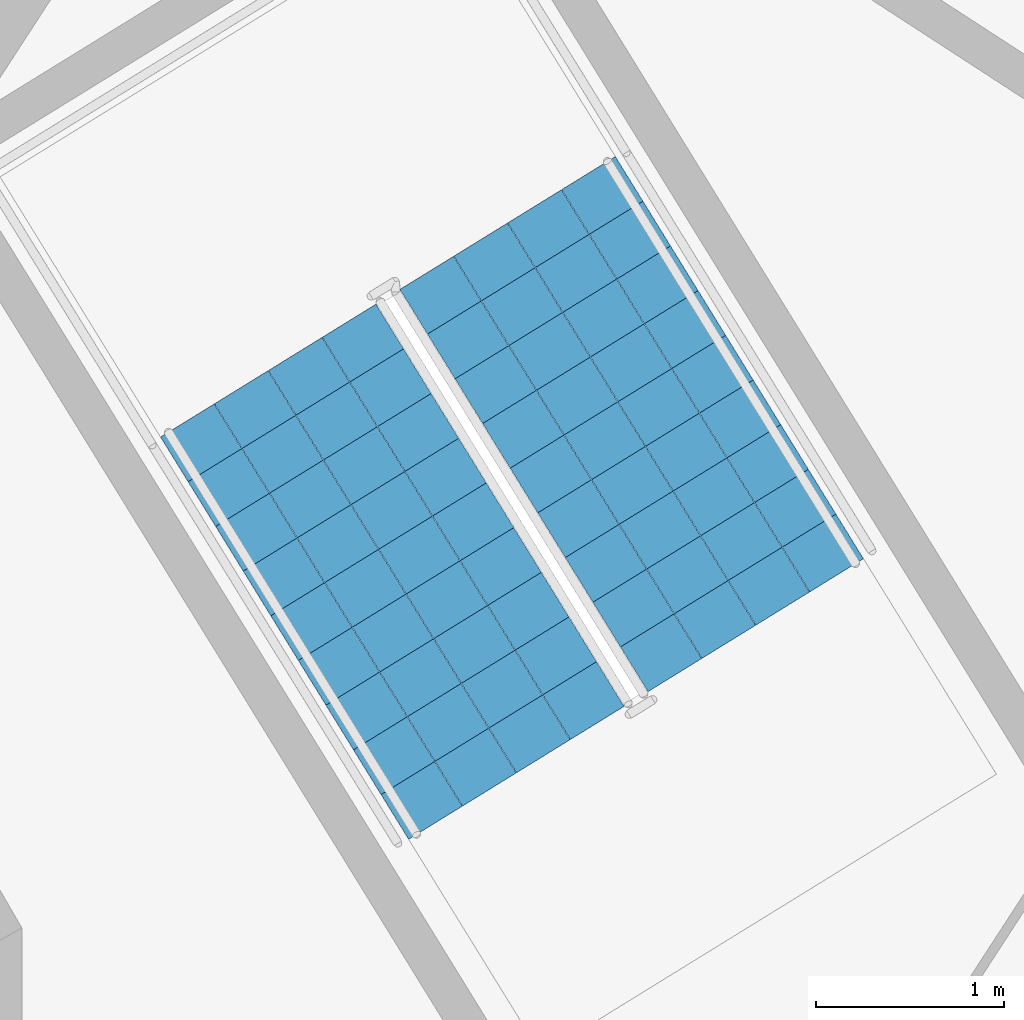
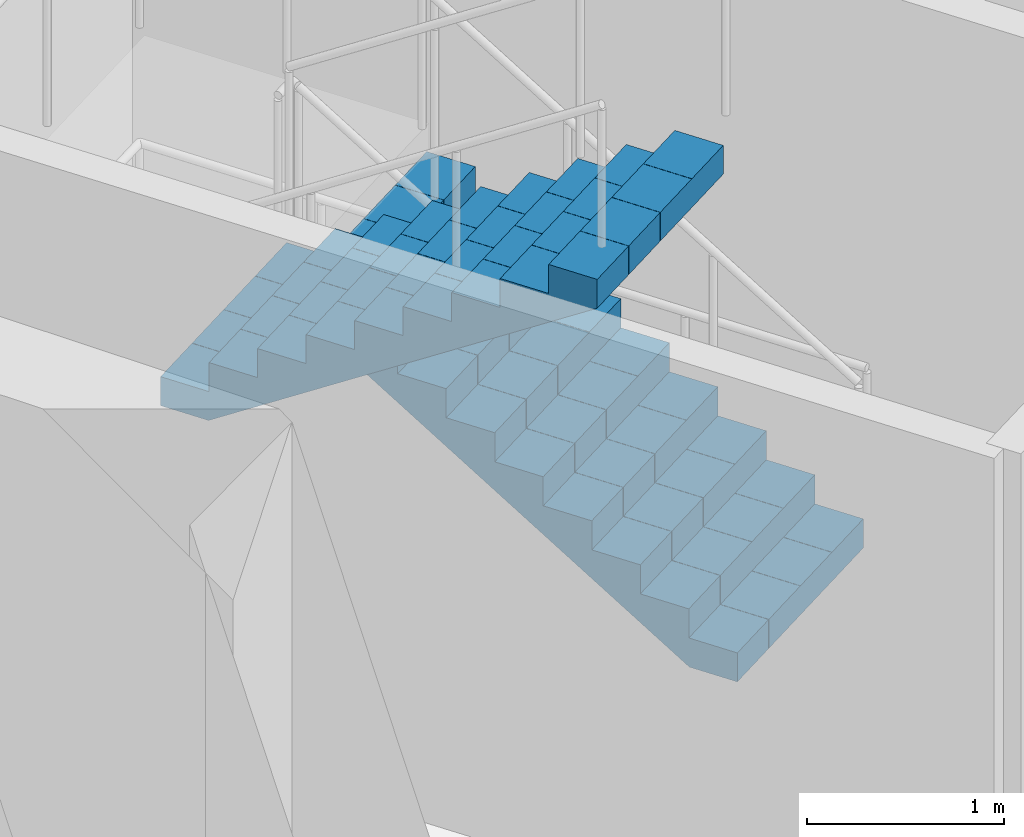
# One storey, part 9 of 15: 2 stair flights, 1 element without a shape of its own.
"""IFC4 building model written with IfcOpenShell, lengths in metres."""

import ifcopenshell
import ifcopenshell.guid

model = None  # the IFC model being written
_history = None  # IfcOwnerHistory: only IFC2X3 demands one
_inside = {}  # id of a spatial element -> (the spatial element, [elements in it])
_under = {}  # id of a project, library or spatial element -> (it, [spatial elements below it])
_declared = {}  # id of a project -> (the project, [libraries it declares])
_typed = {}  # id of a type object -> (the type object, [elements of that type])
_made_of = {}  # id of a material, layer set ... -> (it, [elements and type objects made of it])


def new_model(schema):
    """Start an empty IFC model of exactly this schema.

    Asked for "IFC4X3", IfcOpenShell would pick the latest addendum, in which some entities
    have other attributes; the version numbers below select the first issue.
    IFC2X3 requires an IfcOwnerHistory on every rooted entity: one is made here for all.
    """
    global model, _history
    if schema == "IFC4X3":
        model = ifcopenshell.file(schema_version=(4, 3, 0, 0))
    else:
        model = ifcopenshell.file(schema=schema)
    _inside.clear()
    _under.clear()
    _declared.clear()
    _typed.clear()
    _made_of.clear()
    _history = None
    if model.schema == "IFC2X3":
        org = make("IfcOrganization", Name="unknown")
        user = make(
            "IfcPersonAndOrganization",
            ThePerson=make("IfcPerson", FamilyName="unknown"),
            TheOrganization=org,
        )
        app = make(
            "IfcApplication",
            ApplicationDeveloper=org,
            Version="unknown",
            ApplicationFullName="unknown",
            ApplicationIdentifier="unknown",
        )
        _history = make(
            "IfcOwnerHistory",
            OwningUser=user,
            OwningApplication=app,
            ChangeAction="ADDED",
            CreationDate=0,
        )
    return model


def make(cls, **values):
    """One entity of the class cls with the attributes given. An attribute that is None is left unset."""
    return model.create_entity(
        cls, **{name: value for name, value in values.items() if value is not None}
    )


def rooted(cls, **values):
    """An entity with a GlobalId (a new one), such as an element, a storey or a relation."""
    return make(cls, GlobalId=ifcopenshell.guid.new(), OwnerHistory=_history, **values)


def si_unit(unit_type, name, prefix=None):
    """IfcSIUnit, for example si_unit("LENGTHUNIT", "METRE", prefix="MILLI")."""
    return make("IfcSIUnit", UnitType=unit_type, Prefix=prefix, Name=name)


def assignment(units):
    """IfcUnitAssignment: the units of a project."""
    return None if units is None else make("IfcUnitAssignment", Units=units)


def point(xyz):
    """IfcCartesianPoint."""
    return None if xyz is None else make("IfcCartesianPoint", Coordinates=xyz)


def direction(xyz):
    """IfcDirection."""
    return None if xyz is None else make("IfcDirection", DirectionRatios=xyz)


def frame(location, z_axis=None, x_axis=None):
    """IfcAxis2Placement3D, a coordinate frame: its origin and axes. An axis left out is left unset."""
    return make(
        "IfcAxis2Placement3D",
        Location=point(location),
        Axis=direction(z_axis),
        RefDirection=direction(x_axis),
    )


def origin():
    """The frame at (0, 0, 0) with its axes left unset."""
    return frame((0.0, 0.0, 0.0))


def place(relative_to, where):
    """IfcLocalPlacement: puts the frame where relative to a parent placement (None: the world)."""
    return make(
        "IfcLocalPlacement", PlacementRelTo=relative_to, RelativePlacement=where
    )


def context(
    kind, dimensions, precision=None, world=None, true_north=None, identifier=None
):
    """IfcGeometricRepresentationContext, for example the 3D "Model" context."""
    return make(
        "IfcGeometricRepresentationContext",
        ContextIdentifier=identifier,
        ContextType=kind,
        CoordinateSpaceDimension=dimensions,
        Precision=precision,
        WorldCoordinateSystem=world,
        TrueNorth=true_north,
    )


def subcontext(parent, identifier, kind, view, scale=None):
    """IfcGeometricRepresentationSubContext, for example "Body" below "Model"."""
    return make(
        "IfcGeometricRepresentationSubContext",
        ContextIdentifier=identifier,
        ContextType=kind,
        ParentContext=parent,
        TargetScale=scale,
        TargetView=view,
    )


def project(units=None, contexts=None):
    """IfcProject with its units and contexts."""
    return rooted(
        "IfcProject",
        Name="project",
        RepresentationContexts=contexts,
        UnitsInContext=assignment(units),
    )


def spatial(cls, under=None, at=None, **own):
    """A site, building, storey or space (cls), placed at a placement, below another one or the project."""
    s = rooted(cls, ObjectPlacement=at, **own)
    if under is not None:
        _under.setdefault(under.id(), (under, []))[1].append(s)
    return s


def polyline(points):
    """IfcPolyline through the points."""
    return make("IfcPolyline", Points=[point(p) for p in points])


def outline(outer, holes=None, kind="AREA"):
    """IfcArbitraryClosedProfileDef: a profile drawn as a closed curve; with holes, ...WithVoids."""
    if holes is None:
        return make("IfcArbitraryClosedProfileDef", ProfileType=kind, OuterCurve=outer)
    return make(
        "IfcArbitraryProfileDefWithVoids",
        ProfileType=kind,
        OuterCurve=outer,
        InnerCurves=holes,
    )


def extrude(swept, where, along, depth):
    """IfcExtrudedAreaSolid: the profile swept, set in the frame where, extruded along a direction by depth."""
    return make(
        "IfcExtrudedAreaSolid",
        SweptArea=swept,
        Position=where,
        ExtrudedDirection=direction(along),
        Depth=depth,
    )


def shape(context_of_items, identifier, shape_type, items):
    """IfcShapeRepresentation: the items that make up one representation, for example the "Body"."""
    return make(
        "IfcShapeRepresentation",
        ContextOfItems=context_of_items,
        RepresentationIdentifier=identifier,
        RepresentationType=shape_type,
        Items=items,
    )


def material(Name=None, Category=None):
    """IfcMaterial."""
    return make("IfcMaterial", Name=Name, Category=Category)


def made_of(thing, what):
    """Note that an element or type object is made of a material, layer set ...; save() writes the relation."""
    if what is not None:
        _made_of.setdefault(what.id(), (what, []))[1].append(thing)
    return thing


def type_object(cls, material=None, **own):
    """A type object (cls), such as IfcWallType, which elements share."""
    return made_of(rooted(cls, **own), material)


def element(
    cls,
    number,
    at=None,
    inside=None,
    cuts=None,
    type_object=None,
    material=None,
    context=None,
    identifier="Body",
    shape_type=None,
    held_by="IfcProductDefinitionShape",
    body=None,
    shapes=None,
    **own,
):
    """One element of the class cls, such as IfcWall. Its Tag is "e" and its number.

    at: its placement. inside: the storey or other place that contains it. cuts: it is an
    opening in that element (IfcRelVoidsElement). A single representation is given by context,
    identifier, shape_type and body (its items); several are given by shapes. held_by: the class
    of the entity that holds the representations. save() writes the other relations.
    """
    e = rooted(cls, Tag="e%d" % number, ObjectPlacement=at, **own)
    if body is not None:
        shapes = [shape(context, identifier, shape_type, body)]
    if shapes is not None:
        e.Representation = make(held_by, Representations=shapes)
    if inside is not None:
        _inside.setdefault(inside.id(), (inside, []))[1].append(e)
    if cuts is not None:
        rooted(
            "IfcRelVoidsElement", RelatingBuildingElement=cuts, RelatedOpeningElement=e
        )
    if type_object is not None:
        _typed.setdefault(type_object.id(), (type_object, []))[1].append(e)
    return made_of(e, material)


def aggregate(whole, parts):
    """IfcRelAggregates: a whole, such as a stair, and the parts it consists of."""
    return rooted("IfcRelAggregates", RelatingObject=whole, RelatedObjects=parts)


def save(model, path):
    """Write the relations noted so far, then the file.

    IfcRelAggregates (storeys below a building ...), IfcRelContainedInSpatialStructure (elements
    in a storey), IfcRelDefinesByType, IfcRelAssociatesMaterial and IfcRelDeclares: one each for
    every whole, place, type object, material and project.
    """
    for whole, parts in _under.values():
        aggregate(whole, parts)
    for where, things in _inside.values():
        rooted(
            "IfcRelContainedInSpatialStructure",
            RelatedElements=things,
            RelatingStructure=where,
        )
    for kind, things in _typed.values():
        rooted("IfcRelDefinesByType", RelatedObjects=things, RelatingType=kind)
    for what, things in _made_of.values():
        rooted("IfcRelAssociatesMaterial", RelatedObjects=things, RelatingMaterial=what)
    for by, libraries in _declared.values():
        rooted("IfcRelDeclares", RelatingContext=by, RelatedDefinitions=libraries)
    model.write(path)


model = new_model("IFC4")

# Units and contexts
model_context = context("Model", 3, precision=1e-05, world=origin(), true_north=direction((0.0, 1.0)))
body_context = subcontext(model_context, "Body", "Model", "MODEL_VIEW")
ifc_project = project(units=[si_unit("LENGTHUNIT", "METRE"), si_unit("AREAUNIT", "SQUARE_METRE"), si_unit("VOLUMEUNIT", "CUBIC_METRE"), si_unit("PLANEANGLEUNIT", "RADIAN"), si_unit("MASSUNIT", "GRAM", prefix="KILO")], contexts=[model_context])

# Site, building, storey
site_placement = place(None, origin())
site = spatial("IfcSite", under=ifc_project, at=site_placement, CompositionType="ELEMENT")
building_placement = place(site_placement, origin())
building = spatial("IfcBuilding", under=site, at=building_placement, Name="Cantera Rosa Tower", CompositionType="ELEMENT")
storey_placement = place(building_placement, frame((0.0, 0.0, 250.5)))
storey = spatial("IfcBuildingStorey", under=building, at=storey_placement, Name="L55", CompositionType="ELEMENT", Elevation=250.5)

# Stair, stair flights
ifc_material_1 = material(Name="Concrete C35/45", Category="concrete")
stair_type = type_object("IfcStairType", Name="EXIT STAIR 1350 DOGLEG", PredefinedType="HALF_TURN_STAIR", material=ifc_material_1)
stair_placement = place(storey_placement, origin())
stair = element("IfcStair", 1, at=stair_placement, inside=storey, type_object=stair_type, Name="L55 ST-51", PredefinedType="HALF_TURN_STAIR")
ifc_material_2 = material(Name="Concrete C35/45", Category="concrete")
stair_flight_type = type_object("IfcStairFlightType", Name="STAIR FLIGHT 1350 R20x180", PredefinedType="STRAIGHT", material=ifc_material_2)
stair_flight_1_placement = place(storey_placement, frame((13.5732421875, 4.2021484375, 0.0), z_axis=(0.0, 0.0, 1.0), x_axis=(-0.524976585286, 0.851116669383, 0.0)))
stair_flight_1 = element("IfcStairFlight", 2, at=stair_flight_1_placement, type_object=stair_flight_type, Name="ST-51 flight 1", NumberOfRisers=10, NumberOfTreads=9, PredefinedType="STRAIGHT", RiserHeight=0.18, TreadLength=0.28, context=body_context, shape_type="SweptSolid", body=[
    extrude(outline(polyline([(0.0, 0.0), (0.0, 0.179931640625), (0.280029296875, 0.179931640625), (0.280029296875, 0.360107421875), (0.56005859375, 0.360107421875), (0.56005859375, 0.5400390625), (0.840087890625, 0.5400390625), (0.840087890625, 0.719970703125), (1.1201171875, 0.719970703125), (1.1201171875, 0.89990234375), (1.39990234375, 0.89990234375), (1.39990234375, 1.080078125), (1.679931640625, 1.080078125), (1.679931640625, 1.260009765625), (1.9599609375, 1.260009765625), (1.9599609375, 1.43994140625), (2.239990234375, 1.43994140625), (2.239990234375, 1.6201171875), (2.52001953125, 1.6201171875), (2.52001953125, 1.800048828125), (2.52001953125, 1.44189453125), (0.277099609375, 0.0), (0.0, 0.0)])), frame((0.0, 0.675048828125, 0.0), z_axis=(0.0, -1.0, 0.0), x_axis=(1.0, 0.0, 0.0)), (0.0, 0.0, 1.0), 0.3359375),
    extrude(outline(polyline([(0.0, 0.0), (0.0, 0.179931640625), (0.280029296875, 0.179931640625), (0.280029296875, 0.360107421875), (0.56005859375, 0.360107421875), (0.56005859375, 0.5400390625), (0.840087890625, 0.5400390625), (0.840087890625, 0.719970703125), (1.1201171875, 0.719970703125), (1.1201171875, 0.89990234375), (1.39990234375, 0.89990234375), (1.39990234375, 1.080078125), (1.679931640625, 1.080078125), (1.679931640625, 1.260009765625), (1.9599609375, 1.260009765625), (1.9599609375, 1.43994140625), (2.239990234375, 1.43994140625), (2.239990234375, 1.6201171875), (2.52001953125, 1.6201171875), (2.52001953125, 1.800048828125), (2.52001953125, 1.44189453125), (0.277099609375, 0.0), (0.0, 0.0)])), frame((0.0, 0.337158203125, 0.0), z_axis=(0.0, -1.0, 0.0), x_axis=(1.0, 0.0, 0.0)), (0.0, 0.0, 1.0), 0.3359375),
    extrude(outline(polyline([(0.0, 0.0), (0.0, 0.179931640625), (0.280029296875, 0.179931640625), (0.280029296875, 0.360107421875), (0.56005859375, 0.360107421875), (0.56005859375, 0.5400390625), (0.840087890625, 0.5400390625), (0.840087890625, 0.719970703125), (1.1201171875, 0.719970703125), (1.1201171875, 0.89990234375), (1.39990234375, 0.89990234375), (1.39990234375, 1.080078125), (1.679931640625, 1.080078125), (1.679931640625, 1.260009765625), (1.9599609375, 1.260009765625), (1.9599609375, 1.43994140625), (2.239990234375, 1.43994140625), (2.239990234375, 1.6201171875), (2.52001953125, 1.6201171875), (2.52001953125, 1.800048828125), (2.52001953125, 1.44189453125), (0.277099609375, 0.0), (0.0, 0.0)])), frame((0.0, -0.000732421875, 0.0), z_axis=(0.0, -1.0, 0.0), x_axis=(1.0, 0.0, 0.0)), (0.0, 0.0, 1.0), 0.3359375),
    extrude(outline(polyline([(0.0, 0.0), (0.0, 0.179931640625), (0.280029296875, 0.179931640625), (0.280029296875, 0.360107421875), (0.56005859375, 0.360107421875), (0.56005859375, 0.5400390625), (0.840087890625, 0.5400390625), (0.840087890625, 0.719970703125), (1.1201171875, 0.719970703125), (1.1201171875, 0.89990234375), (1.39990234375, 0.89990234375), (1.39990234375, 1.080078125), (1.679931640625, 1.080078125), (1.679931640625, 1.260009765625), (1.9599609375, 1.260009765625), (1.9599609375, 1.43994140625), (2.239990234375, 1.43994140625), (2.239990234375, 1.6201171875), (2.52001953125, 1.6201171875), (2.52001953125, 1.800048828125), (2.52001953125, 1.44189453125), (0.277099609375, 0.0), (0.0, 0.0)])), frame((0.0, -0.338623046875, 0.0), z_axis=(0.0, -1.0, 0.0), x_axis=(1.0, 0.0, 0.0)), (0.0, 0.0, 1.0), 0.3359375),
])
stair_flight_2_placement = place(storey_placement, frame((10.9736328125, 5.5595703125, 1.800048828125), z_axis=(0.0, 0.0, 1.0), x_axis=(0.524976585286, -0.851116669383, 0.0)))
stair_flight_2 = element("IfcStairFlight", 3, at=stair_flight_2_placement, type_object=stair_flight_type, Name="ST-51 flight 2", NumberOfRisers=10, NumberOfTreads=9, PredefinedType="STRAIGHT", RiserHeight=0.18, TreadLength=0.28, context=body_context, shape_type="SweptSolid", body=[
    extrude(outline(polyline([(0.0, 0.0), (0.0, 0.179931640625), (0.280029296875, 0.179931640625), (0.280029296875, 0.360107421875), (0.56005859375, 0.360107421875), (0.56005859375, 0.5400390625), (0.840087890625, 0.5400390625), (0.840087890625, 0.719970703125), (1.1201171875, 0.719970703125), (1.1201171875, 0.89990234375), (1.39990234375, 0.89990234375), (1.39990234375, 1.080078125), (1.679931640625, 1.080078125), (1.679931640625, 1.260009765625), (1.9599609375, 1.260009765625), (1.9599609375, 1.43994140625), (2.239990234375, 1.43994140625), (2.239990234375, 1.6201171875), (2.52001953125, 1.6201171875), (2.52001953125, 1.800048828125), (2.52001953125, 1.44189453125), (0.277099609375, 0.0), (0.0, 0.0)])), frame((0.0, 0.675048828125, 0.0), z_axis=(0.0, -1.0, 0.0), x_axis=(1.0, 0.0, 0.0)), (0.0, 0.0, 1.0), 0.3359375),
    extrude(outline(polyline([(0.0, 0.0), (0.0, 0.179931640625), (0.280029296875, 0.179931640625), (0.280029296875, 0.360107421875), (0.56005859375, 0.360107421875), (0.56005859375, 0.5400390625), (0.840087890625, 0.5400390625), (0.840087890625, 0.719970703125), (1.1201171875, 0.719970703125), (1.1201171875, 0.89990234375), (1.39990234375, 0.89990234375), (1.39990234375, 1.080078125), (1.679931640625, 1.080078125), (1.679931640625, 1.260009765625), (1.9599609375, 1.260009765625), (1.9599609375, 1.43994140625), (2.239990234375, 1.43994140625), (2.239990234375, 1.6201171875), (2.52001953125, 1.6201171875), (2.52001953125, 1.800048828125), (2.52001953125, 1.44189453125), (0.277099609375, 0.0), (0.0, 0.0)])), frame((0.0, 0.337158203125, 0.0), z_axis=(0.0, -1.0, 0.0), x_axis=(1.0, 0.0, 0.0)), (0.0, 0.0, 1.0), 0.3359375),
    extrude(outline(polyline([(0.0, 0.0), (0.0, 0.179931640625), (0.280029296875, 0.179931640625), (0.280029296875, 0.360107421875), (0.56005859375, 0.360107421875), (0.56005859375, 0.5400390625), (0.840087890625, 0.5400390625), (0.840087890625, 0.719970703125), (1.1201171875, 0.719970703125), (1.1201171875, 0.89990234375), (1.39990234375, 0.89990234375), (1.39990234375, 1.080078125), (1.679931640625, 1.080078125), (1.679931640625, 1.260009765625), (1.9599609375, 1.260009765625), (1.9599609375, 1.43994140625), (2.239990234375, 1.43994140625), (2.239990234375, 1.6201171875), (2.52001953125, 1.6201171875), (2.52001953125, 1.800048828125), (2.52001953125, 1.44189453125), (0.277099609375, 0.0), (0.0, 0.0)])), frame((0.0, -0.000732421875, 0.0), z_axis=(0.0, -1.0, 0.0), x_axis=(1.0, 0.0, 0.0)), (0.0, 0.0, 1.0), 0.3359375),
    extrude(outline(polyline([(0.0, 0.0), (0.0, 0.179931640625), (0.280029296875, 0.179931640625), (0.280029296875, 0.360107421875), (0.56005859375, 0.360107421875), (0.56005859375, 0.5400390625), (0.840087890625, 0.5400390625), (0.840087890625, 0.719970703125), (1.1201171875, 0.719970703125), (1.1201171875, 0.89990234375), (1.39990234375, 0.89990234375), (1.39990234375, 1.080078125), (1.679931640625, 1.080078125), (1.679931640625, 1.260009765625), (1.9599609375, 1.260009765625), (1.9599609375, 1.43994140625), (2.239990234375, 1.43994140625), (2.239990234375, 1.6201171875), (2.52001953125, 1.6201171875), (2.52001953125, 1.800048828125), (2.52001953125, 1.44189453125), (0.277099609375, 0.0), (0.0, 0.0)])), frame((0.0, -0.338623046875, 0.0), z_axis=(0.0, -1.0, 0.0), x_axis=(1.0, 0.0, 0.0)), (0.0, 0.0, 1.0), 0.3359375),
])
aggregate(stair, [stair_flight_1, stair_flight_2])

save(model, "model.ifc")
